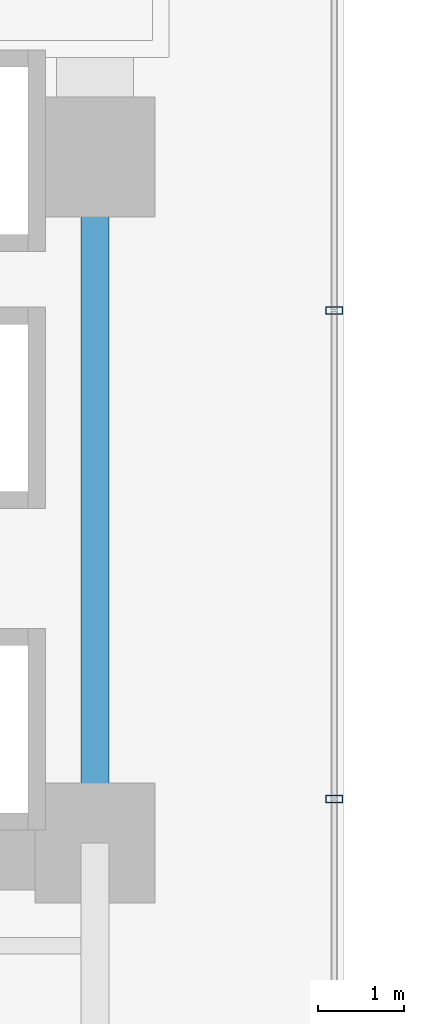
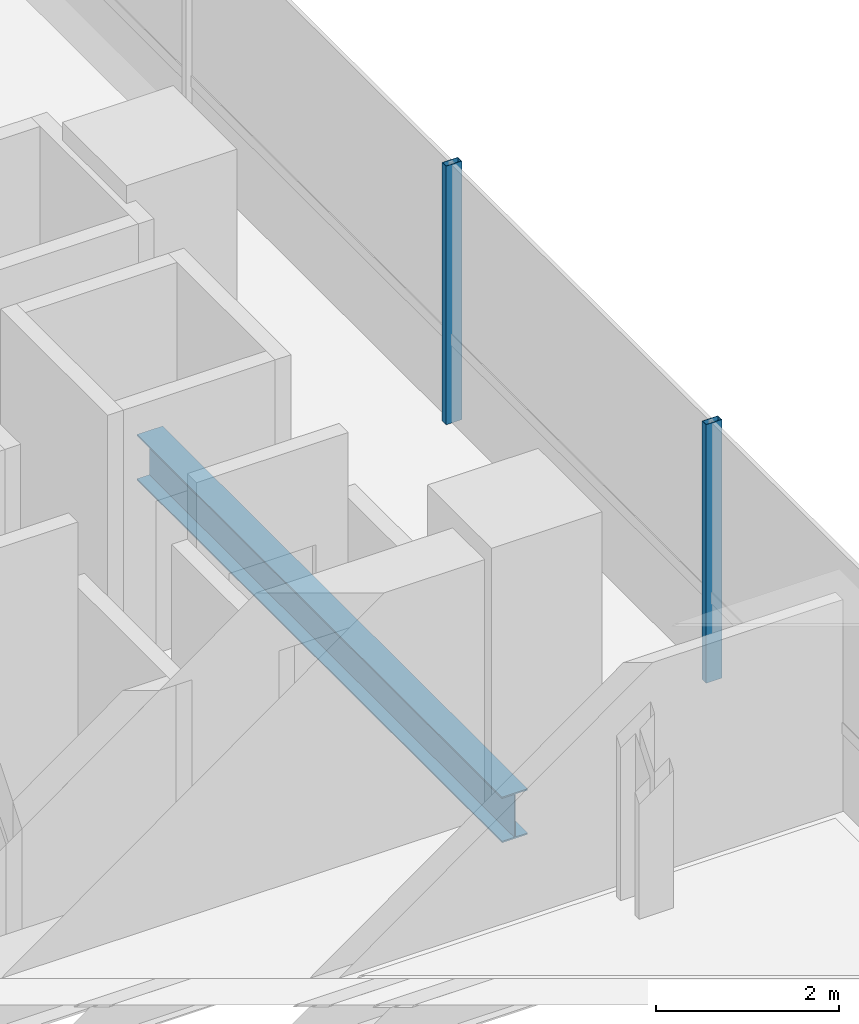
# One storey, part 6 of 40: 2 members, 1 beam, 1 element without a shape of its own.
"""IFC4 building model written with IfcOpenShell, lengths in metres."""

from ifc_helpers import new_model, si_unit, direction, frame, origin, origin_2d, place, context, subcontext, project, spatial, hollow_rectangle, i_section, extrude, source, transform, mapped, material, material_profile, profile_set, type_object, element, aggregate, save


model = new_model("IFC4")

# Units and contexts
model_context = context("Model", 3, precision=1e-05, world=origin(), true_north=direction((0.0, 1.0)))
body_context = subcontext(model_context, "Body", "Model", "MODEL_VIEW")
ifc_project = project(units=[si_unit("LENGTHUNIT", "METRE"), si_unit("AREAUNIT", "SQUARE_METRE"), si_unit("VOLUMEUNIT", "CUBIC_METRE"), si_unit("PLANEANGLEUNIT", "RADIAN"), si_unit("MASSUNIT", "GRAM", prefix="KILO")], contexts=[model_context])

# Site, building, storey
site_placement = place(None, origin())
site = spatial("IfcSite", under=ifc_project, at=site_placement, CompositionType="ELEMENT")
building_placement = place(site_placement, origin())
building = spatial("IfcBuilding", under=site, at=building_placement, Name="Valdorenza Pilgrim Sanctuary Tower", CompositionType="ELEMENT")
storey_placement = place(building_placement, frame((0.0, 0.0, 48.199951171875)))
storey = spatial("IfcBuildingStorey", under=building, at=storey_placement, Name="L11", CompositionType="ELEMENT", Elevation=48.199951171875)

# Beam
ifc_material_1 = material(Name="Steel ASTM A992 Grade 50", Category="steel")
ifc_material_profile_1 = material_profile(ifc_material_1, i_section(OverallWidth=0.323974609375, OverallDepth=0.611083984375, WebThickness=0.0126953125, FlangeThickness=0.01904296875, at=origin_2d()), Name="W24X104")
ifc_profile_set_1 = profile_set([ifc_material_profile_1], Name="Steel ASTM A992 Grade 50")
beam_type = type_object("IfcBeamType", Name="STR-BM-GRD-W24B", PredefinedType="BEAM", material=ifc_profile_set_1)
shared_shape_1 = source(origin(), body_context, "Body", "SweptSolid", [
    extrude(i_section(OverallWidth=0.323974609375, OverallDepth=0.611083984375, WebThickness=0.0126953125, FlangeThickness=0.01904296875, at=origin_2d()), origin(), (0.0, 0.0, 1.0), 8.0),
])
beam_placement = place(storey_placement, frame((-12.39990234375, -10.60009765625, -0.54541015625), z_axis=(0.0, 1.0, 0.0), x_axis=(-1.0, 0.0, 0.0)))
element("IfcBeam", 1, at=beam_placement, inside=storey, type_object=beam_type, Name="L11 Core Tie Girder CA-E-S1M0", PredefinedType="BEAM", context=body_context, shape_type="MappedRepresentation", body=[
    mapped(shared_shape_1, transform((0.0, 0.0, 0.0), x_axis=(1.0, 0.0, 0.0), y_axis=(0.0, 1.0, 0.0), z_axis=(0.0, 0.0, 1.0), scale=1.0)),
])

# Curtain wall, members
ifc_material_2 = material(Name="Curtain-wall IGU glazing", Category="glass")
curtain_wall_type = type_object("IfcCurtainWallType", Name="CW-SYS-02", PredefinedType="NOTDEFINED", material=ifc_material_2)
curtain_wall_placement = place(storey_placement, origin())
curtain_wall = element("IfcCurtainWall", 2, at=curtain_wall_placement, inside=storey, type_object=curtain_wall_type, Name="L11 Curtain Wall CW-L11-1-41", PredefinedType="NOTDEFINED")
ifc_material_3 = material(Name="Anodised aluminium AW-6060", Category="aluminium")
ifc_material_profile_2 = material_profile(ifc_material_3, hollow_rectangle(XDim=0.0849609375, YDim=0.199951171875, WallThickness=0.0048828125, at=origin_2d()), Name="ALU-M 200x85x5")
ifc_profile_set_2 = profile_set([ifc_material_profile_2], Name="Anodised aluminium AW-6060")
member_type = type_object("IfcMemberType", Name="CW-MUL-02", PredefinedType="MULLION", material=ifc_profile_set_2)
shared_shape_2 = source(origin(), body_context, "Body", "SweptSolid", [
    extrude(hollow_rectangle(XDim=0.0849609375, YDim=0.199951171875, WallThickness=0.0048828125, at=origin_2d()), origin(), (0.0, 0.0, 1.0), 3.4599609375),
])
member_1_placement = place(storey_placement, frame((-9.610107421875, -4.38916015625, 0.0), z_axis=(0.0, 0.0, 1.0), x_axis=(0.0, -1.0, 0.0)))
member_1 = element("IfcMember", 3, at=member_1_placement, type_object=member_type, Name="CW-L11-1-41 Mullion 3", PredefinedType="MULLION", context=body_context, shape_type="MappedRepresentation", body=[
    mapped(shared_shape_2, transform((0.0, 0.0, 0.0), x_axis=(1.0, 0.0, 0.0), y_axis=(0.0, 1.0, 0.0), z_axis=(0.0, 0.0, 1.0), scale=1.0)),
])
member_2_placement = place(storey_placement, frame((-9.610107421875, -10.089111328125, 0.0), z_axis=(0.0, 0.0, 1.0), x_axis=(0.0, -1.0, 0.0)))
member_2 = element("IfcMember", 4, at=member_2_placement, type_object=member_type, Name="CW-L11-1-41 Mullion 4", PredefinedType="MULLION", context=body_context, shape_type="MappedRepresentation", body=[
    mapped(shared_shape_2, transform((0.0, 0.0, 0.0), x_axis=(1.0, 0.0, 0.0), y_axis=(0.0, 1.0, 0.0), z_axis=(0.0, 0.0, 1.0), scale=1.0)),
])
aggregate(curtain_wall, [member_1, member_2])

save(model, "model.ifc")
